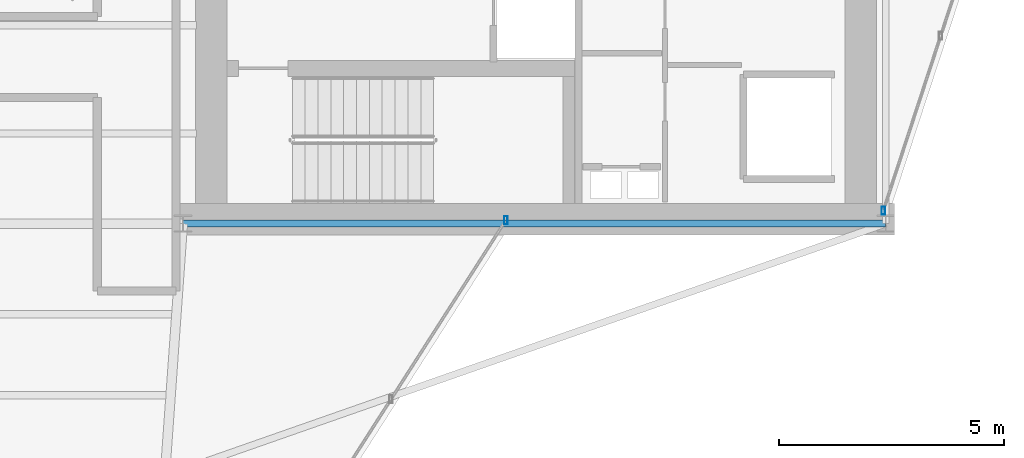
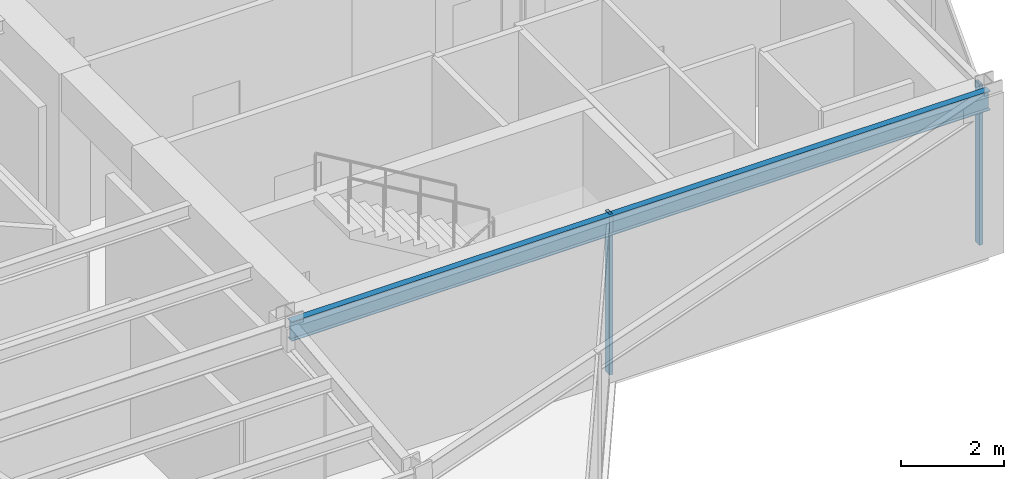
# One storey, part 14 of 23: 2 members, 1 beam, 2 elements without a shape of their own.
"""IFC4 building model written with IfcOpenShell, lengths in metres."""

from ifc_helpers import new_model, si_unit, direction, frame, origin, origin_2d, place, context, subcontext, project, spatial, hollow_rectangle, i_section, extrude, material, layer, layer_set, material_profile, profile_set, type_object, element, aggregate, save


model = new_model("IFC4")

# Units and contexts
model_context = context("Model", 3, precision=1e-05, world=origin(), true_north=direction((0.0, 1.0)))
body_context = subcontext(model_context, "Body", "Model", "MODEL_VIEW")
ifc_project = project(units=[si_unit("LENGTHUNIT", "METRE"), si_unit("AREAUNIT", "SQUARE_METRE"), si_unit("VOLUMEUNIT", "CUBIC_METRE"), si_unit("PLANEANGLEUNIT", "RADIAN"), si_unit("MASSUNIT", "GRAM", prefix="KILO")], contexts=[model_context])

# Site, building, storey
site_placement = place(None, origin())
site = spatial("IfcSite", under=ifc_project, at=site_placement, CompositionType="ELEMENT")
building_placement = place(site_placement, origin())
building = spatial("IfcBuilding", under=site, at=building_placement, Name="Veymaron Broadcast Tower", CompositionType="ELEMENT")
storey_placement = place(building_placement, frame((0.0, 0.0, 199.949951171875)))
storey = spatial("IfcBuildingStorey", under=building, at=storey_placement, Name="L46", CompositionType="ELEMENT", Elevation=199.949951171875)

# Beam
ifc_material_1 = material(Name="Structural steel ASTM A992 Gr 50", Category="steel")
ifc_material_profile_1 = material_profile(ifc_material_1, i_section(OverallWidth=0.154052734375, OverallDepth=0.458984375, WebThickness=0.009033203125, FlangeThickness=0.015380859375, at=origin_2d()), Name="W460X68")
ifc_profile_set_1 = profile_set([ifc_material_profile_1], Name="Structural steel ASTM A992 Gr 50")
beam_type = type_object("IfcBeamType", Name="BM-SP2", PredefinedType="SPANDREL", material=ifc_profile_set_1)
beam_placement = place(storey_placement, frame((39.0, 16.0, 3.560546875), z_axis=(1.0, 0.0, 0.0), x_axis=(0.0, 1.0, 0.0)))
element("IfcBeam", 1, at=beam_placement, inside=storey, type_object=beam_type, Name="L46 primary structural floor girder", PredefinedType="SPANDREL", context=body_context, shape_type="SweptSolid", body=[
    extrude(i_section(OverallWidth=0.154052734375, OverallDepth=0.458984375, WebThickness=0.009033203125, FlangeThickness=0.015380859375, at=origin_2d()), origin(), (0.0, 0.0, 1.0), 15.60009765625),
])

# Curtain wall, member
ifc_material_2 = material(Name="Anodised aluminium AA 6063-T6 and laminated low-E dark glass", Category="aluminium")
ifc_layer = layer(ifc_material_2, 0.179931640625)
ifc_layer_set = layer_set([ifc_layer], Name="Anodised aluminium AA 6063-T6 and laminated low-E dark glass")
curtain_wall_type = type_object("IfcCurtainWallType", Name="CW-SYS-05", PredefinedType="NOTDEFINED", material=ifc_layer_set)
curtain_wall_1_placement = place(storey_placement, origin())
curtain_wall_1 = element("IfcCurtainWall", 2, at=curtain_wall_1_placement, inside=storey, type_object=curtain_wall_type, Name="L46 dark-glass curtain wall CW-L46-E2-1", PredefinedType="NOTDEFINED")
ifc_material_3 = material(Name="Anodised aluminium AA 6063-T6", Category="aluminium")
ifc_material_profile_2 = material_profile(ifc_material_3, hollow_rectangle(XDim=0.074951171875, YDim=0.179931640625, WallThickness=0.0048828125, at=origin_2d()), Name="AL180X75X5")
ifc_profile_set_2 = profile_set([ifc_material_profile_2], Name="Anodised aluminium AA 6063-T6")
member_type = type_object("IfcMemberType", Name="CW-MUL-02", PredefinedType="MULLION", material=ifc_profile_set_2)
member_1_placement = place(storey_placement, frame((54.54736328125, 16.288330078125, 0.0), z_axis=(0.0, 0.0, 1.0), x_axis=(1.0, 0.0, 0.0)))
member_1 = element("IfcMember", 3, at=member_1_placement, type_object=member_type, Name="CW-L46-E2-1 mullion 0", PredefinedType="MULLION", context=body_context, shape_type="SweptSolid", body=[
    extrude(hollow_rectangle(XDim=0.074951171875, YDim=0.179931640625, WallThickness=0.0048828125, at=origin_2d()), origin(), (0.0, 0.0, 1.0), 3.7900390625),
])
aggregate(curtain_wall_1, [member_1])

curtain_wall_2_placement = place(storey_placement, origin())
curtain_wall_2 = element("IfcCurtainWall", 4, at=curtain_wall_2_placement, inside=storey, type_object=curtain_wall_type, Name="L46 dark-glass curtain wall CW-L46-E20-1", PredefinedType="NOTDEFINED")
member_2_placement = place(storey_placement, frame((46.1689453125, 16.07568359375, 0.0), z_axis=(0.0, 0.0, 1.0), x_axis=(1.0, 0.0, 0.0)))
member_2 = element("IfcMember", 5, at=member_2_placement, type_object=member_type, Name="CW-L46-E20-1 mullion 2", PredefinedType="MULLION", context=body_context, shape_type="SweptSolid", body=[
    extrude(hollow_rectangle(XDim=0.074951171875, YDim=0.179931640625, WallThickness=0.0048828125, at=origin_2d()), origin(), (0.0, 0.0, 1.0), 3.7900390625),
])
aggregate(curtain_wall_2, [member_2])

save(model, "model.ifc")
